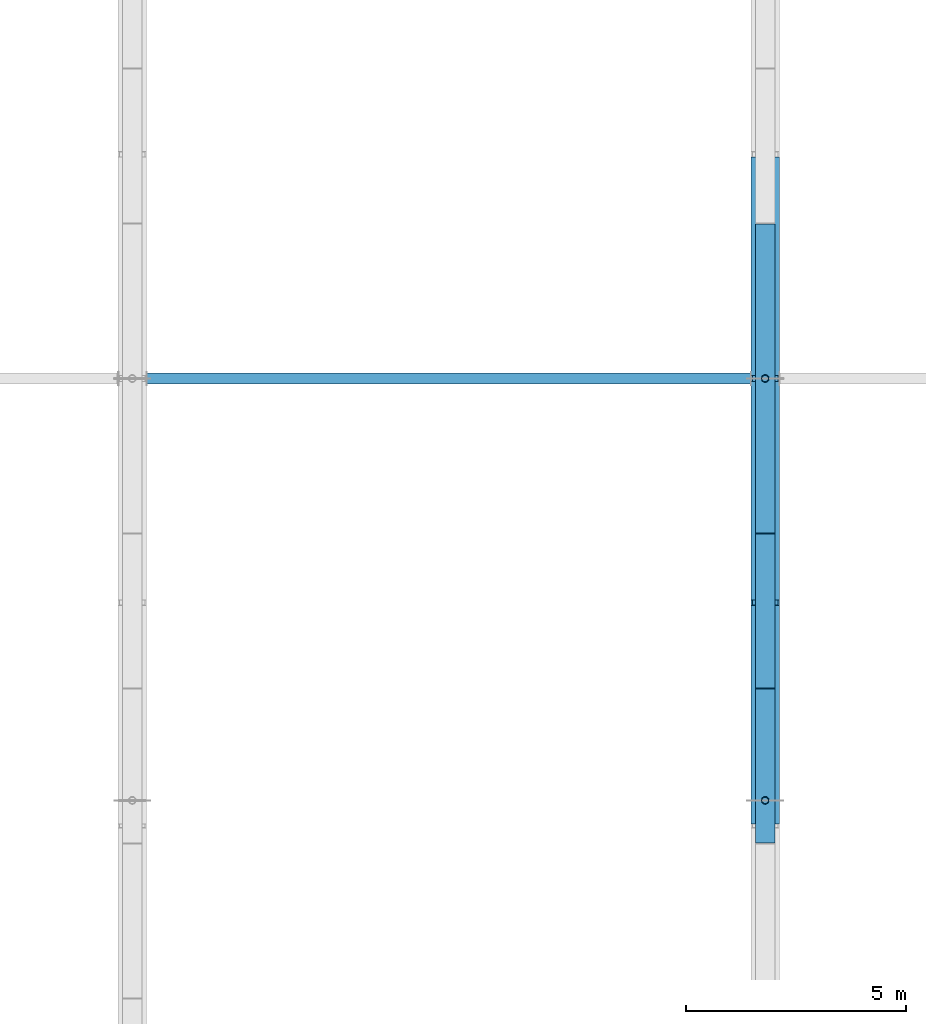
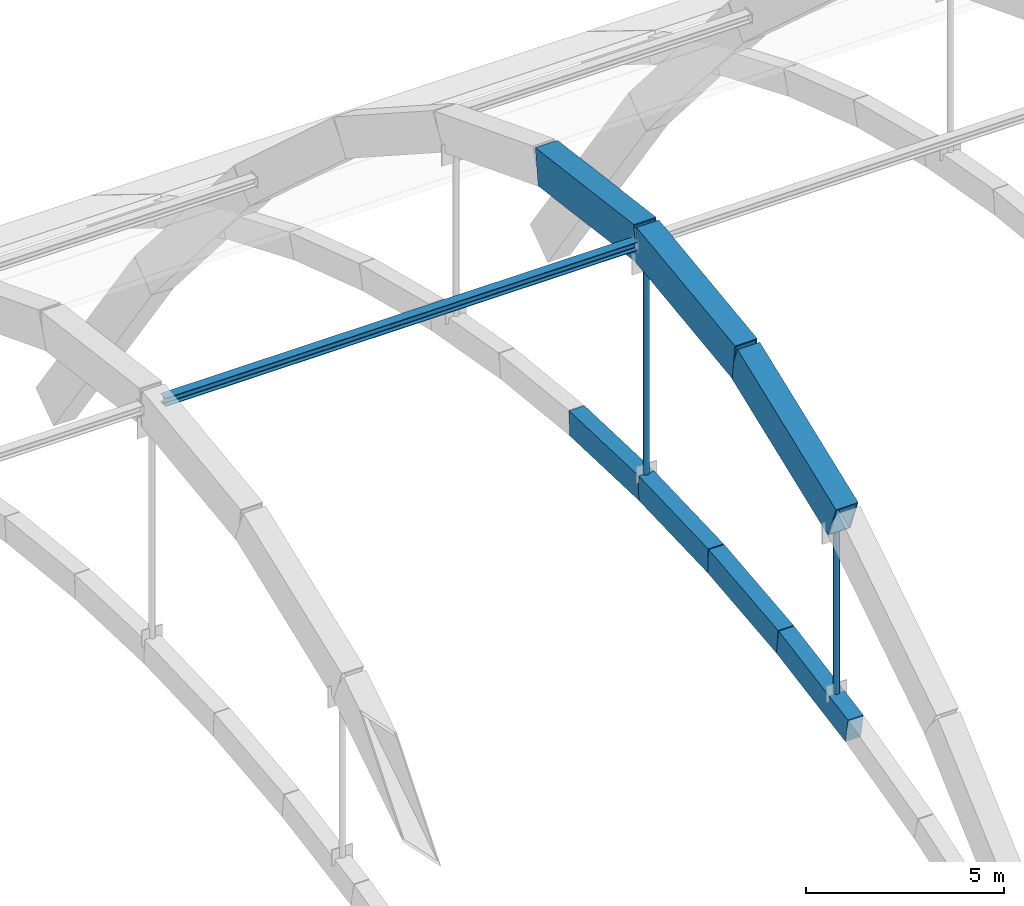
# One storey, part 10 of 64: 6 members, 4 beams.
"""IFC4 building model written with IfcOpenShell, lengths in metres."""

from ifc_helpers import new_model, si_unit, direction, frame, origin, origin_2d, place, context, subcontext, project, spatial, rectangle, hollow_rectangle, hollow_circle, i_section, extrude, material, material_profile, profile_set, type_object, element, save


model = new_model("IFC4")

# Units and contexts
model_context = context("Model", 3, precision=1e-05, world=origin(), true_north=direction((0.0, 1.0)))
body_context = subcontext(model_context, "Body", "Model", "MODEL_VIEW")
ifc_project = project(units=[si_unit("LENGTHUNIT", "METRE"), si_unit("AREAUNIT", "SQUARE_METRE"), si_unit("VOLUMEUNIT", "CUBIC_METRE"), si_unit("PLANEANGLEUNIT", "RADIAN"), si_unit("MASSUNIT", "GRAM", prefix="KILO")], contexts=[model_context])

# Site, building, storey
site_placement = place(None, origin())
site = spatial("IfcSite", under=ifc_project, at=site_placement, CompositionType="ELEMENT")
building_placement = place(site_placement, origin())
building = spatial("IfcBuilding", under=site, at=building_placement, Name="Leyfeld Transit Interchange", CompositionType="ELEMENT")
storey_placement = place(building_placement, frame((0.0, 0.0, 9.60009765625)))
storey = spatial("IfcBuildingStorey", under=building, at=storey_placement, Name="L02", CompositionType="ELEMENT", Elevation=9.60009765625)

# Beams
ifc_material_1 = material(Name="Concrete C40/50", Category="concrete")
ifc_material_profile_1 = material_profile(ifc_material_1, rectangle(XDim=0.449951171875, YDim=0.75, at=origin_2d()), Name="RC 750x450 RIB")
ifc_profile_set_1 = profile_set([ifc_material_profile_1], Name="Concrete C40/50")
beam_type = type_object("IfcBeamType", Name="BM-RIB-750x450", PredefinedType="USERDEFINED", material=ifc_profile_set_1)
beam_1_placement = place(storey_placement, frame((57.60009765625, 21.89990234375, 6.3251953125), z_axis=(0.0, 0.984546197367, 0.175125056033), x_axis=(-1.0, 0.0, 0.0)))
element("IfcBeam", 1, at=beam_1_placement, inside=storey, type_object=beam_type, Name="Concourse Vault Rib A5 Seg 6", ObjectType="ARCH_RIB", PredefinedType="USERDEFINED", context=body_context, shape_type="SweptSolid", body=[
    extrude(rectangle(XDim=0.449951171875, YDim=0.75, at=origin_2d()), origin(), (0.0, 0.0, 1.0), 3.554931640625),
])
beam_2_placement = place(storey_placement, frame((57.60009765625, 25.39990234375, 6.94775390625), z_axis=(0.0, 0.99446241795, 0.105092812723), x_axis=(-1.0, 0.0, 0.0)))
element("IfcBeam", 2, at=beam_2_placement, inside=storey, type_object=beam_type, Name="Concourse Vault Rib A5 Seg 7", ObjectType="ARCH_RIB", PredefinedType="USERDEFINED", context=body_context, shape_type="SweptSolid", body=[
    extrude(rectangle(XDim=0.449951171875, YDim=0.75, at=origin_2d()), origin(), (0.0, 0.0, 1.0), 3.51953125),
])
for number, where, z_axis, x_axis, name in (
    (3, (57.60009765625, 28.89990234375, 7.317626953125), (0.0, 0.999387477159, 0.034995292518), (-1.0, 0.0, 0.0), "Concourse Vault Rib A5 Seg 8"),
    (4, (57.60009765625, 32.39990234375, 7.440185546875), (0.0, 0.999387477159, -0.034995292518), (-1.0, 0.0, 0.0), "Concourse Vault Rib A5 Seg 9"),
):
    element("IfcBeam", number, at=place(storey_placement, frame(where, z_axis=z_axis, x_axis=x_axis)), inside=storey, type_object=beam_type, Name=name, ObjectType="ARCH_RIB", PredefinedType="USERDEFINED", context=body_context, shape_type="SweptSolid", body=[
        extrude(rectangle(XDim=0.449951171875, YDim=0.75, at=origin_2d()), origin(), (0.0, 0.0, 1.0), 3.502197265625),
    ])

# Members
ifc_material_2 = material(Name="Steel S355J2 - Ochre Arch", Category="steel")
ifc_material_profile_2 = material_profile(ifc_material_2, hollow_rectangle(XDim=0.64990234375, YDim=1.10009765625, WallThickness=0.035888671875, at=origin_2d()), Name="RHS 1100x650x36")
ifc_profile_set_2 = profile_set([ifc_material_profile_2], Name="Steel S355J2 - Ochre Arch")
member_type_1 = type_object("IfcMemberType", Name="MEM-ARCH-1100", PredefinedType="USERDEFINED", material=ifc_profile_set_2)
member_1_placement = place(storey_placement, frame((57.60009765625, 22.466796875, 12.433349609375), z_axis=(0.0, 0.932424670612, 0.361364405599), x_axis=(-1.0, 0.0, 0.0)))
element("IfcMember", 5, at=member_1_placement, inside=storey, type_object=member_type_1, Name="Primary Steel Arch AR-04 Seg 5", ObjectType="ARCH_SEGMENT", PredefinedType="USERDEFINED", context=body_context, shape_type="SweptSolid", body=[
    extrude(hollow_rectangle(XDim=0.64990234375, YDim=1.10009765625, WallThickness=0.035888671875, at=origin_2d()), origin(), (0.0, 0.0, 1.0), 5.326416015625),
])
member_2_placement = place(storey_placement, frame((57.60009765625, 27.433349609375, 14.358154296875), z_axis=(0.0, 0.991752498374, 0.128167788341), x_axis=(-1.0, 0.0, 0.0)))
element("IfcMember", 6, at=member_2_placement, inside=storey, type_object=member_type_1, Name="Primary Steel Arch AR-04 Seg 6", ObjectType="ARCH_SEGMENT", PredefinedType="USERDEFINED", context=body_context, shape_type="SweptSolid", body=[
    extrude(hollow_rectangle(XDim=0.64990234375, YDim=1.10009765625, WallThickness=0.035888671875, at=origin_2d()), origin(), (0.0, 0.0, 1.0), 5.0078125),
])
member_3_placement = place(storey_placement, frame((57.60009765625, 32.39990234375, 15.0), z_axis=(0.0, 0.991753299157, -0.128161591795), x_axis=(-1.0, 0.0, 0.0)))
element("IfcMember", 7, at=member_3_placement, inside=storey, type_object=member_type_1, Name="Primary Steel Arch AR-04 Seg 7", ObjectType="ARCH_SEGMENT", PredefinedType="USERDEFINED", context=body_context, shape_type="SweptSolid", body=[
    extrude(hollow_rectangle(XDim=0.64990234375, YDim=1.10009765625, WallThickness=0.035888671875, at=origin_2d()), origin(), (0.0, 0.0, 1.0), 5.008056640625),
])
ifc_material_3 = material(Name="Steel S355J2", Category="steel")
ifc_material_profile_3 = material_profile(ifc_material_3, i_section(OverallWidth=0.260009765625, OverallDepth=0.260009765625, WebThickness=0.010009765625, FlangeThickness=0.017578125, FilletRadius=0.02392578125, at=origin_2d()), Name="HEB 260")
ifc_profile_set_3 = profile_set([ifc_material_profile_3], Name="Steel S355J2")
member_type_2 = type_object("IfcMemberType", Name="MEM-CHD-HEB260", PredefinedType="CHORD", material=ifc_profile_set_3)
member_4_placement = place(storey_placement, frame((43.52490234375, 32.39990234375, 15.0), z_axis=(1.0, 0.0, 0.0), x_axis=(0.0, 1.0, 0.0)))
element("IfcMember", 8, at=member_4_placement, inside=storey, type_object=member_type_2, Name="Arch Longitudinal Tie Chord B4 T2", PredefinedType="CHORD", context=body_context, shape_type="SweptSolid", body=[
    extrude(i_section(OverallWidth=0.260009765625, OverallDepth=0.260009765625, WebThickness=0.010009765625, FlangeThickness=0.017578125, FilletRadius=0.02392578125, at=origin_2d()), origin(), (0.0, 0.0, 1.0), 13.75),
])
ifc_material_profile_4 = material_profile(ifc_material_3, hollow_circle(Radius=0.084228515625, WallThickness=0.008056640625, at=origin_2d()), Name="CHS 168.3x8")
ifc_profile_set_4 = profile_set([ifc_material_profile_4], Name="Steel S355J2")
member_type_3 = type_object("IfcMemberType", Name="MEM-HGR-168", PredefinedType="USERDEFINED", material=ifc_profile_set_4)
member_5_placement = place(storey_placement, frame((57.60009765625, 22.800048828125, 6.885009765625), z_axis=(0.0, 0.0, 1.0), x_axis=(1.0, 0.0, 0.0)))
element("IfcMember", 9, at=member_5_placement, inside=storey, type_object=member_type_3, Name="Arch Tension Hanger AR-04 H3", ObjectType="SUSPENDER", PredefinedType="USERDEFINED", context=body_context, shape_type="SweptSolid", body=[
    extrude(hollow_circle(Radius=0.084228515625, WallThickness=0.008056640625, at=origin_2d()), origin(), (0.0, 0.0, 1.0), 5.087646484375),
])
member_6_placement = place(storey_placement, frame((57.60009765625, 32.39990234375, 7.815185546875), z_axis=(0.0, 0.0, 1.0), x_axis=(1.0, 0.0, 0.0)))
element("IfcMember", 10, at=member_6_placement, inside=storey, type_object=member_type_3, Name="Arch Tension Hanger AR-04 H4", ObjectType="SUSPENDER", PredefinedType="USERDEFINED", context=body_context, shape_type="SweptSolid", body=[
    extrude(hollow_circle(Radius=0.084228515625, WallThickness=0.008056640625, at=origin_2d()), origin(), (0.0, 0.0, 1.0), 6.630126953125),
])

save(model, "model.ifc")
